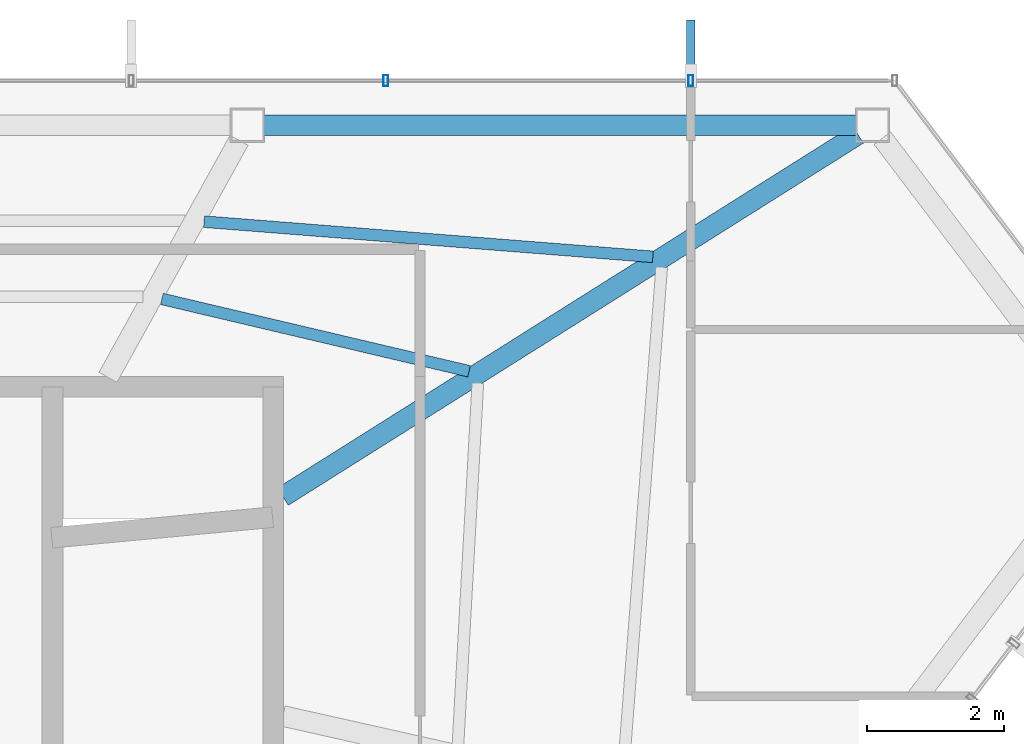
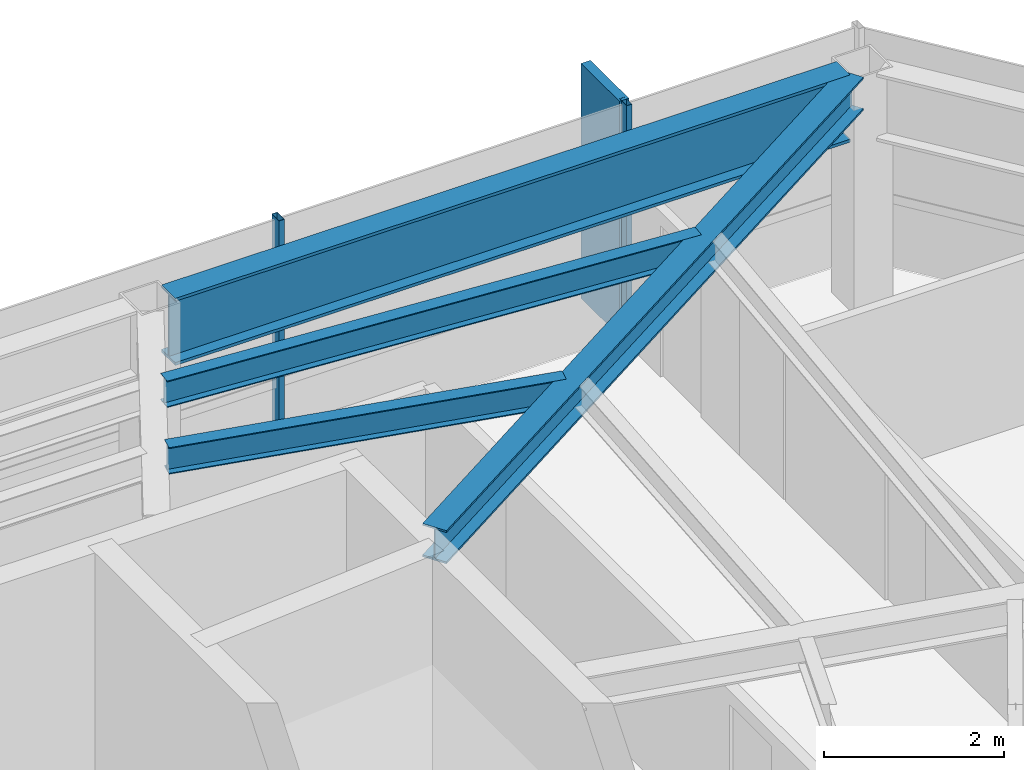
# One storey, part 19 of 26: 4 beams, 3 members, 1 element without a shape of its own.
"""IFC4 building model written with IfcOpenShell, lengths in metres."""

from ifc_helpers import new_model, si_unit, direction, frame, origin, origin_2d, place, context, subcontext, project, spatial, rectangle, hollow_rectangle, i_section, extrude, material, layer, layer_set, material_profile, profile_set, type_object, element, aggregate, save


model = new_model("IFC4")

# Units and contexts
model_context = context("Model", 3, precision=1e-05, world=origin(), true_north=direction((0.0, 1.0)))
body_context = subcontext(model_context, "Body", "Model", "MODEL_VIEW")
ifc_project = project(units=[si_unit("LENGTHUNIT", "METRE"), si_unit("AREAUNIT", "SQUARE_METRE"), si_unit("VOLUMEUNIT", "CUBIC_METRE"), si_unit("PLANEANGLEUNIT", "RADIAN"), si_unit("MASSUNIT", "GRAM", prefix="KILO")], contexts=[model_context])

# Site, building, storey
site_placement = place(None, origin())
site = spatial("IfcSite", under=ifc_project, at=site_placement, CompositionType="ELEMENT")
building_placement = place(site_placement, origin())
building = spatial("IfcBuilding", under=site, at=building_placement, Name="Zarrinselat Tower", CompositionType="ELEMENT")
storey_placement = place(building_placement, frame((0.0, 0.0, 258.39990234375)))
storey = spatial("IfcBuildingStorey", under=building, at=storey_placement, Name="L65", CompositionType="ELEMENT", Elevation=258.39990234375)

# Beams
ifc_material_1 = material(Name="Steel S355J2", Category="steel")
ifc_material_profile_1 = material_profile(ifc_material_1, i_section(OverallWidth=0.300048828125, OverallDepth=0.449951171875, WebThickness=0.013916015625, FlangeThickness=0.02587890625, at=origin_2d()), Name="HEB 450")
ifc_profile_set_1 = profile_set([ifc_material_profile_1], Name="Steel S355J2")
beam_type_1 = type_object("IfcBeamType", Name="BM-HEB450", PredefinedType="BEAM", material=ifc_profile_set_1)
beam_1_placement = place(storey_placement, frame((48.35009765625, 41.800048828125, 2.955078125), z_axis=(0.846186362049, 0.532887080611, 0.0), x_axis=(-0.532887080611, 0.846186362049, 0.0)))
element("IfcBeam", 1, at=beam_1_placement, inside=storey, type_object=beam_type_1, Name="L65 Radial Primary Girder RG01", PredefinedType="BEAM", context=body_context, shape_type="SweptSolid", body=[
    extrude(i_section(OverallWidth=0.300048828125, OverallDepth=0.449951171875, WebThickness=0.013916015625, FlangeThickness=0.02587890625, at=origin_2d()), origin(), (0.0, 0.0, 1.0), 9.912841796875),
])
ifc_material_2 = material(Name="Steel S460M", Category="steel")
ifc_material_profile_2 = material_profile(ifc_material_2, i_section(OverallWidth=0.302001953125, OverallDepth=0.909912109375, WebThickness=0.02099609375, FlangeThickness=0.0400390625, at=origin_2d()), Name="HEM 900")
ifc_profile_set_2 = profile_set([ifc_material_profile_2], Name="Steel S460M")
beam_type_2 = type_object("IfcBeamType", Name="BM-HEM900", PredefinedType="BEAM", material=ifc_profile_set_2)
beam_2_placement = place(storey_placement, frame((48.07080078125, 47.216796875, 2.72509765625), z_axis=(1.0, 0.0, 0.0), x_axis=(0.0, 1.0, 0.0)))
element("IfcBeam", 2, at=beam_2_placement, inside=storey, type_object=beam_type_2, Name="L65 Perimeter Spandrel Girder SP01", PredefinedType="BEAM", context=body_context, shape_type="SweptSolid", body=[
    extrude(i_section(OverallWidth=0.302001953125, OverallDepth=0.909912109375, WebThickness=0.02099609375, FlangeThickness=0.0400390625, at=origin_2d()), origin(), (0.0, 0.0, 1.0), 8.642822265625),
])
ifc_material_3 = material(Name="Steel S355J2", Category="steel")
ifc_material_profile_3 = material_profile(ifc_material_3, i_section(OverallWidth=0.169921875, OverallDepth=0.360107421875, WebThickness=0.008056640625, FlangeThickness=0.0126953125, at=origin_2d()), Name="IPE 360")
ifc_profile_set_3 = profile_set([ifc_material_profile_3], Name="Steel S355J2")
beam_type_3 = type_object("IfcBeamType", Name="BM-IPE360", PredefinedType="JOIST", material=ifc_profile_set_3)
beam_3_placement = place(storey_placement, frame((47.20068359375, 45.810302734375, 3.0), z_axis=(0.99694411501, -0.078118061598, 0.0), x_axis=(0.078118061598, 0.99694411501, 0.0)))
element("IfcBeam", 3, at=beam_3_placement, inside=storey, type_object=beam_type_3, Name="L65 Composite Floor Joist 6-1", PredefinedType="JOIST", context=body_context, shape_type="SweptSolid", body=[
    extrude(i_section(OverallWidth=0.169921875, OverallDepth=0.360107421875, WebThickness=0.008056640625, FlangeThickness=0.0126953125, at=origin_2d()), origin(), (0.0, 0.0, 1.0), 6.566162109375),
])
beam_4_placement = place(storey_placement, frame((46.5859375, 44.68310546875, 3.0), z_axis=(0.973377500362, -0.22920785717, 0.0), x_axis=(0.22920785717, 0.973377500362, 0.0)))
element("IfcBeam", 4, at=beam_4_placement, inside=storey, type_object=beam_type_3, Name="L65 Composite Floor Joist 6-2", PredefinedType="JOIST", context=body_context, shape_type="SweptSolid", body=[
    extrude(i_section(OverallWidth=0.169921875, OverallDepth=0.360107421875, WebThickness=0.008056640625, FlangeThickness=0.0126953125, at=origin_2d()), origin(), (0.0, 0.0, 1.0), 4.6025390625),
])

# Curtain wall, members
ifc_material_4 = material(Name="Extruded Aluminium Alloy EN AW-6063 T6", Category="aluminium")
ifc_layer = layer(ifc_material_4, 0.169921875)
ifc_layer_set = layer_set([ifc_layer], Name="Extruded Aluminium Alloy EN AW-6063 T6")
curtain_wall_type = type_object("IfcCurtainWallType", Name="CWS-RES", PredefinedType="NOTDEFINED", material=ifc_layer_set)
curtain_wall_placement = place(storey_placement, origin())
curtain_wall = element("IfcCurtainWall", 5, at=curtain_wall_placement, inside=storey, type_object=curtain_wall_type, Name="L65 Unitised Curtain Wall CW-L65-E01", PredefinedType="NOTDEFINED")
ifc_material_5 = material(Name="Extruded Aluminium Alloy EN AW-6063 T6", Category="aluminium")
ifc_material_profile_4 = material_profile(ifc_material_5, hollow_rectangle(XDim=0.070068359375, YDim=0.159912109375, WallThickness=0.00390625, at=origin_2d()), Name="RHS 160x70x4")
ifc_profile_set_4 = profile_set([ifc_material_profile_4], Name="Extruded Aluminium Alloy EN AW-6063 T6")
member_type_1 = type_object("IfcMemberType", Name="MEM-CW-MUL2", PredefinedType="MULLION", material=ifc_profile_set_4)
member_1_placement = place(storey_placement, frame((54.301025390625, 47.86669921875, 0.0), z_axis=(0.0, 0.0, 1.0), x_axis=(-1.0, 0.0, 0.0)))
member_1 = element("IfcMember", 6, at=member_1_placement, type_object=member_type_1, Name="CW-L65-E01 Mullion 1", PredefinedType="MULLION", context=body_context, shape_type="SweptSolid", body=[
    extrude(hollow_rectangle(XDim=0.070068359375, YDim=0.159912109375, WallThickness=0.00390625, at=origin_2d()), origin(), (0.0, 0.0, 1.0), 3.18017578125),
])
member_2_placement = place(storey_placement, frame((49.850341796875, 47.86669921875, 0.0), z_axis=(0.0, 0.0, 1.0), x_axis=(-1.0, 0.0, 0.0)))
member_2 = element("IfcMember", 7, at=member_2_placement, type_object=member_type_1, Name="CW-L65-E01 Mullion 2", PredefinedType="MULLION", context=body_context, shape_type="SweptSolid", body=[
    extrude(hollow_rectangle(XDim=0.070068359375, YDim=0.159912109375, WallThickness=0.00390625, at=origin_2d()), origin(), (0.0, 0.0, 1.0), 3.18017578125),
])
ifc_material_6 = material(Name="Honed Cream Travertine Stone", Category="masonry")
ifc_material_profile_5 = material_profile(ifc_material_6, rectangle(XDim=0.1201171875, YDim=0.85009765625, at=origin_2d()), Name="FIN 850x120")
ifc_profile_set_5 = profile_set([ifc_material_profile_5], Name="Honed Cream Travertine Stone")
member_type_2 = type_object("IfcMemberType", Name="MEM-STONE-FIN", PredefinedType="USERDEFINED", material=ifc_profile_set_5)
member_3_placement = place(storey_placement, frame((54.301025390625, 48.32666015625, 0.0), z_axis=(0.0, 0.0, 1.0), x_axis=(1.0, 0.0, 0.0)))
member_3 = element("IfcMember", 8, at=member_3_placement, type_object=member_type_2, Name="L65 Stone Shading Fin CW-L65-E01-01", ObjectType="FIN", PredefinedType="USERDEFINED", context=body_context, shape_type="SweptSolid", body=[
    extrude(rectangle(XDim=0.1201171875, YDim=0.85009765625, at=origin_2d()), origin(), (0.0, 0.0, 1.0), 3.18017578125),
])
aggregate(curtain_wall, [member_1, member_3, member_2])

save(model, "model.ifc")
